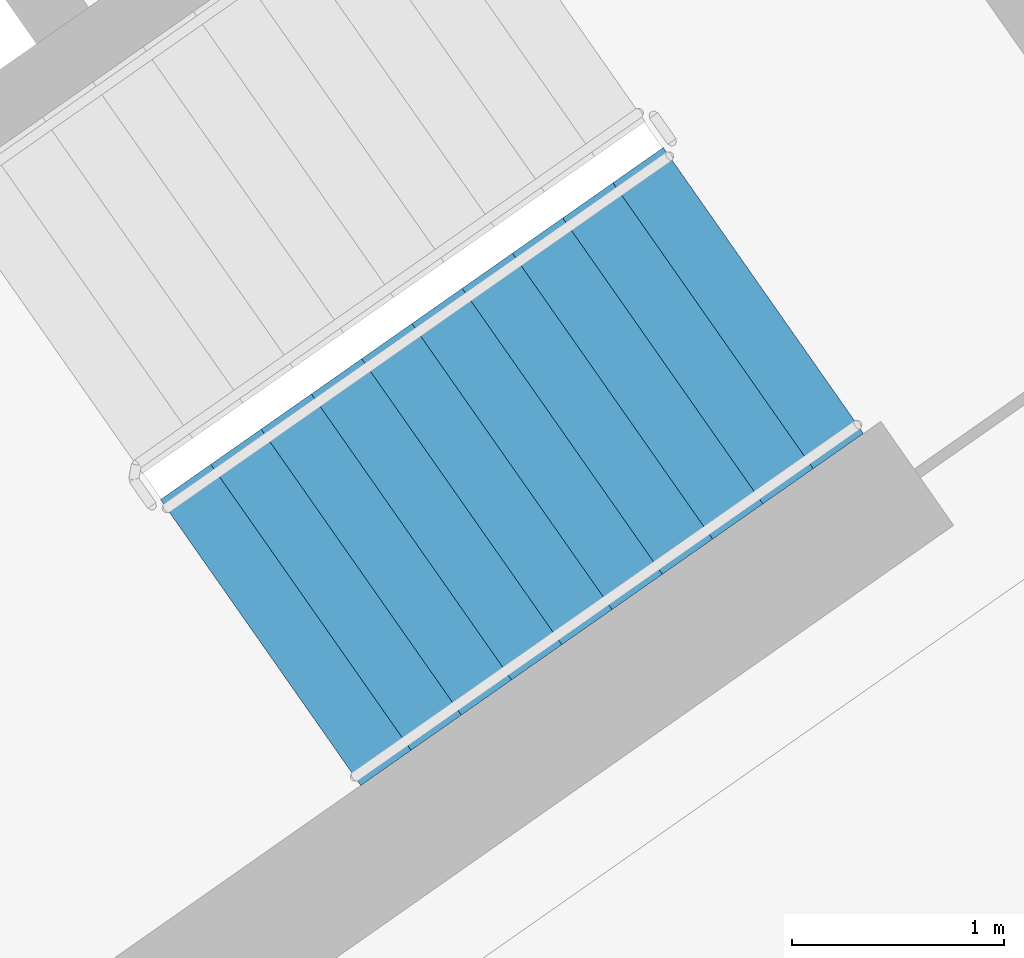
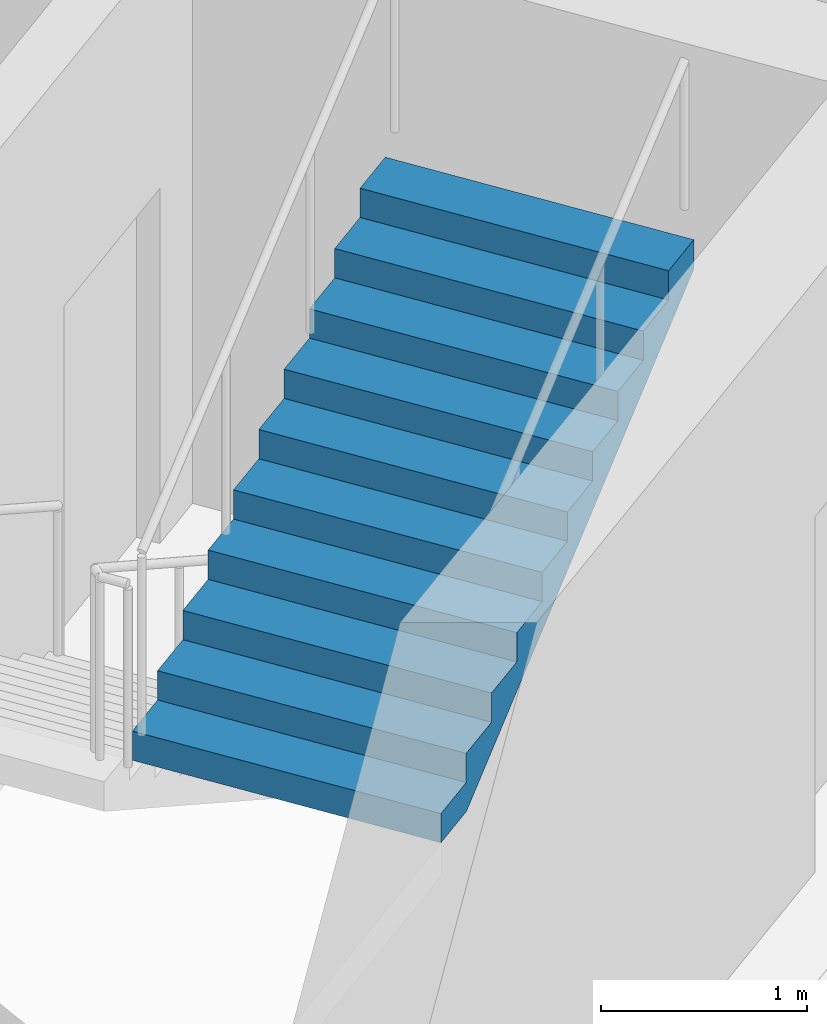
# One storey, part 14 of 28: 1 stair flight, 1 element without a shape of its own.
"""IFC4 building model written with IfcOpenShell, lengths in metres."""

from ifc_helpers import new_model, si_unit, direction, frame, origin, place, context, subcontext, project, spatial, faceted_brep, material, type_object, element, aggregate, save


model = new_model("IFC4")

# Units and contexts
model_context = context("Model", 3, precision=1e-05, world=origin(), true_north=direction((0.0, 1.0)))
body_context = subcontext(model_context, "Body", "Model", "MODEL_VIEW")
ifc_project = project(units=[si_unit("LENGTHUNIT", "METRE"), si_unit("AREAUNIT", "SQUARE_METRE"), si_unit("VOLUMEUNIT", "CUBIC_METRE"), si_unit("PLANEANGLEUNIT", "RADIAN"), si_unit("MASSUNIT", "GRAM", prefix="KILO")], contexts=[model_context])

# Site, building, storey
site_placement = place(None, origin())
site = spatial("IfcSite", under=ifc_project, at=site_placement, CompositionType="ELEMENT")
building_placement = place(site_placement, origin())
building = spatial("IfcBuilding", under=site, at=building_placement, Name="Qamariyya Broadcast Tower", CompositionType="ELEMENT")
storey_placement = place(building_placement, frame((0.0, 0.0, 234.10009765625)))
storey = spatial("IfcBuildingStorey", under=building, at=storey_placement, Name="L56", CompositionType="ELEMENT", Elevation=234.10009765625)

# Stair, stair flight
ifc_material = material(Name="Concrete C50/60", Category="concrete")
stair_type = type_object("IfcStairType", Name="Exit stair 22 risers of 173 mm", PredefinedType="HALF_TURN_STAIR", material=ifc_material)
stair_placement = place(storey_placement, origin())
stair = element("IfcStair", 1, at=stair_placement, inside=storey, type_object=stair_type, Name="L56 Stair E1", PredefinedType="HALF_TURN_STAIR")
stair_flight_type = type_object("IfcStairFlightType", Name="Exit stair flight 11 risers of 173 mm", PredefinedType="STRAIGHT", material=ifc_material)
stair_flight_placement = place(storey_placement, frame((44.693359375, -58.64599609375, 1.89990234375), z_axis=(0.0, 0.0, 1.0), x_axis=(0.819152044289, 0.573576436351, 0.0)))
stair_flight = element("IfcStairFlight", 2, at=stair_flight_placement, type_object=stair_flight_type, Name="ST-E1 flight 2", NumberOfRisers=11, NumberOfTreads=10, PredefinedType="STRAIGHT", RiserHeight=0.172727273, TreadLength=0.29, context=body_context, shape_type="Brep", body=[
    faceted_brep([(0.0, 0.824951171875, 0.0), (0.0, 0.824951171875, 0.172607421875), (0.2900390625, 0.824951171875, 0.172607421875), (0.2900390625, 0.824951171875, 0.345458984375), (0.580078125, 0.824951171875, 0.345458984375), (0.580078125, 0.824951171875, 0.51806640625), (0.8701171875, 0.824951171875, 0.51806640625), (0.8701171875, 0.824951171875, 0.69091796875), (1.159912109375, 0.824951171875, 0.69091796875), (1.159912109375, 0.824951171875, 0.863525390625), (1.449951171875, 0.824951171875, 0.863525390625), (1.449951171875, 0.824951171875, 1.036376953125), (1.739990234375, 0.824951171875, 1.036376953125), (1.739990234375, 0.824951171875, 1.208984375), (2.030029296875, 0.824951171875, 1.208984375), (2.030029296875, 0.824951171875, 1.3818359375), (2.320068359375, 0.824951171875, 1.3818359375), (2.320068359375, 0.824951171875, 1.554443359375), (2.610107421875, 0.824951171875, 1.554443359375), (2.610107421875, 0.824951171875, 1.727294921875), (2.89990234375, 0.824951171875, 1.727294921875), (2.89990234375, 0.824951171875, 1.552734375), (0.29296875, 0.824951171875, 0.0), (0.29296875, -0.824951171875, 0.0), (2.89990234375, -0.824951171875, 1.552734375), (2.89990234375, -0.824951171875, 1.727294921875), (2.610107421875, -0.824951171875, 1.727294921875), (2.610107421875, -0.824951171875, 1.554443359375), (2.320068359375, -0.824951171875, 1.554443359375), (2.320068359375, -0.824951171875, 1.3818359375), (2.030029296875, -0.824951171875, 1.3818359375), (2.030029296875, -0.824951171875, 1.208984375), (1.739990234375, -0.824951171875, 1.208984375), (1.739990234375, -0.824951171875, 1.036376953125), (1.449951171875, -0.824951171875, 1.036376953125), (1.449951171875, -0.824951171875, 0.863525390625), (1.159912109375, -0.824951171875, 0.863525390625), (1.159912109375, -0.824951171875, 0.69091796875), (0.8701171875, -0.824951171875, 0.69091796875), (0.8701171875, -0.824951171875, 0.51806640625), (0.580078125, -0.824951171875, 0.51806640625), (0.580078125, -0.824951171875, 0.345458984375), (0.2900390625, -0.824951171875, 0.345458984375), (0.2900390625, -0.824951171875, 0.172607421875), (0.0, -0.824951171875, 0.172607421875), (0.0, -0.824951171875, 0.0), (0.0, 0.10009765625, 0.0), (0.0, 0.086669921875, 0.0), (0.0, 0.0732421875, 0.0), (0.0, 0.06005859375, 0.0), (0.0, 0.046630859375, 0.0), (0.0, 0.033447265625, 0.0), (0.0, 0.02001953125, 0.0), (0.0, 0.006591796875, 0.0), (0.0, -0.006591796875, 0.0), (0.0, -0.02001953125, 0.0), (0.0, -0.033447265625, 0.0), (0.0, -0.046630859375, 0.0), (0.0, -0.06005859375, 0.0), (0.0, -0.0732421875, 0.0), (0.0, -0.086669921875, 0.0), (0.0, -0.10009765625, 0.0), (0.0, -0.10009765625, 0.172607421875), (0.0, -0.086669921875, 0.172607421875), (0.0, -0.0732421875, 0.172607421875), (0.0, -0.06005859375, 0.172607421875), (0.0, -0.046630859375, 0.172607421875), (0.0, -0.033447265625, 0.172607421875), (0.0, -0.02001953125, 0.172607421875), (0.0, -0.006591796875, 0.172607421875), (0.0, 0.006591796875, 0.172607421875), (0.0, 0.02001953125, 0.172607421875), (0.0, 0.033447265625, 0.172607421875), (0.0, 0.046630859375, 0.172607421875), (0.0, 0.06005859375, 0.172607421875), (0.0, 0.0732421875, 0.172607421875), (0.0, 0.086669921875, 0.172607421875), (0.0, 0.10009765625, 0.172607421875), (0.2900390625, -0.10009765625, 0.172607421875), (0.2900390625, -0.086669921875, 0.172607421875), (0.2900390625, -0.0732421875, 0.172607421875), (0.2900390625, -0.06005859375, 0.172607421875), (0.2900390625, -0.046630859375, 0.172607421875), (0.2900390625, -0.033447265625, 0.172607421875), (0.2900390625, -0.02001953125, 0.172607421875), (0.2900390625, -0.006591796875, 0.172607421875), (0.2900390625, 0.006591796875, 0.172607421875), (0.2900390625, 0.02001953125, 0.172607421875), (0.2900390625, 0.033447265625, 0.172607421875), (0.2900390625, 0.046630859375, 0.172607421875), (0.2900390625, 0.06005859375, 0.172607421875), (0.2900390625, 0.0732421875, 0.172607421875), (0.2900390625, 0.086669921875, 0.172607421875), (0.2900390625, 0.10009765625, 0.172607421875), (0.2900390625, -0.10009765625, 0.345458984375), (0.2900390625, -0.086669921875, 0.345458984375), (0.2900390625, -0.0732421875, 0.345458984375), (0.2900390625, -0.06005859375, 0.345458984375), (0.2900390625, -0.046630859375, 0.345458984375), (0.2900390625, -0.033447265625, 0.345458984375), (0.2900390625, -0.02001953125, 0.345458984375), (0.2900390625, -0.006591796875, 0.345458984375), (0.2900390625, 0.006591796875, 0.345458984375), (0.2900390625, 0.02001953125, 0.345458984375), (0.2900390625, 0.033447265625, 0.345458984375), (0.2900390625, 0.046630859375, 0.345458984375), (0.2900390625, 0.06005859375, 0.345458984375), (0.2900390625, 0.0732421875, 0.345458984375), (0.2900390625, 0.086669921875, 0.345458984375), (0.2900390625, 0.10009765625, 0.345458984375), (0.580078125, -0.10009765625, 0.345458984375), (0.580078125, -0.086669921875, 0.345458984375), (0.580078125, -0.0732421875, 0.345458984375), (0.580078125, -0.06005859375, 0.345458984375), (0.580078125, -0.046630859375, 0.345458984375), (0.580078125, -0.033447265625, 0.345458984375), (0.580078125, -0.02001953125, 0.345458984375), (0.580078125, -0.006591796875, 0.345458984375), (0.580078125, 0.006591796875, 0.345458984375), (0.580078125, 0.02001953125, 0.345458984375), (0.580078125, 0.033447265625, 0.345458984375), (0.580078125, 0.046630859375, 0.345458984375), (0.580078125, 0.06005859375, 0.345458984375), (0.580078125, 0.0732421875, 0.345458984375), (0.580078125, 0.086669921875, 0.345458984375), (0.580078125, 0.10009765625, 0.345458984375), (0.580078125, -0.10009765625, 0.51806640625), (0.580078125, -0.086669921875, 0.51806640625), (0.580078125, -0.0732421875, 0.51806640625), (0.580078125, -0.06005859375, 0.51806640625), (0.580078125, -0.046630859375, 0.51806640625), (0.580078125, -0.033447265625, 0.51806640625), (0.580078125, -0.02001953125, 0.51806640625), (0.580078125, -0.006591796875, 0.51806640625), (0.580078125, 0.006591796875, 0.51806640625), (0.580078125, 0.02001953125, 0.51806640625), (0.580078125, 0.033447265625, 0.51806640625), (0.580078125, 0.046630859375, 0.51806640625), (0.580078125, 0.06005859375, 0.51806640625), (0.580078125, 0.0732421875, 0.51806640625), (0.580078125, 0.086669921875, 0.51806640625), (0.580078125, 0.10009765625, 0.51806640625), (0.8701171875, -0.10009765625, 0.51806640625), (0.8701171875, -0.086669921875, 0.51806640625), (0.8701171875, -0.0732421875, 0.51806640625), (0.8701171875, -0.06005859375, 0.51806640625), (0.8701171875, -0.046630859375, 0.51806640625), (0.8701171875, -0.033447265625, 0.51806640625), (0.8701171875, -0.02001953125, 0.51806640625), (0.8701171875, -0.006591796875, 0.51806640625), (0.8701171875, 0.006591796875, 0.51806640625), (0.8701171875, 0.02001953125, 0.51806640625), (0.8701171875, 0.033447265625, 0.51806640625), (0.8701171875, 0.046630859375, 0.51806640625), (0.8701171875, 0.06005859375, 0.51806640625), (0.8701171875, 0.0732421875, 0.51806640625), (0.8701171875, 0.086669921875, 0.51806640625), (0.8701171875, 0.10009765625, 0.51806640625), (0.8701171875, -0.10009765625, 0.69091796875), (0.8701171875, -0.086669921875, 0.69091796875), (0.8701171875, -0.0732421875, 0.69091796875), (0.8701171875, -0.06005859375, 0.69091796875), (0.8701171875, -0.046630859375, 0.69091796875), (0.8701171875, -0.033447265625, 0.69091796875), (0.8701171875, -0.02001953125, 0.69091796875), (0.8701171875, -0.006591796875, 0.69091796875), (0.8701171875, 0.006591796875, 0.69091796875), (0.8701171875, 0.02001953125, 0.69091796875), (0.8701171875, 0.033447265625, 0.69091796875), (0.8701171875, 0.046630859375, 0.69091796875), (0.8701171875, 0.06005859375, 0.69091796875), (0.8701171875, 0.0732421875, 0.69091796875), (0.8701171875, 0.086669921875, 0.69091796875), (0.8701171875, 0.10009765625, 0.69091796875), (1.159912109375, -0.10009765625, 0.69091796875), (1.159912109375, -0.086669921875, 0.69091796875), (1.159912109375, -0.0732421875, 0.69091796875), (1.159912109375, -0.06005859375, 0.69091796875), (1.159912109375, -0.046630859375, 0.69091796875), (1.159912109375, -0.033447265625, 0.69091796875), (1.159912109375, -0.02001953125, 0.69091796875), (1.159912109375, -0.006591796875, 0.69091796875), (1.159912109375, 0.006591796875, 0.69091796875), (1.159912109375, 0.02001953125, 0.69091796875), (1.159912109375, 0.033447265625, 0.69091796875), (1.159912109375, 0.046630859375, 0.69091796875), (1.159912109375, 0.06005859375, 0.69091796875), (1.159912109375, 0.0732421875, 0.69091796875), (1.159912109375, 0.086669921875, 0.69091796875), (1.159912109375, 0.10009765625, 0.69091796875), (1.159912109375, -0.10009765625, 0.863525390625), (1.159912109375, -0.086669921875, 0.863525390625), (1.159912109375, -0.0732421875, 0.863525390625), (1.159912109375, -0.06005859375, 0.863525390625), (1.159912109375, -0.046630859375, 0.863525390625), (1.159912109375, -0.033447265625, 0.863525390625), (1.159912109375, -0.02001953125, 0.863525390625), (1.159912109375, -0.006591796875, 0.863525390625), (1.159912109375, 0.006591796875, 0.863525390625), (1.159912109375, 0.02001953125, 0.863525390625), (1.159912109375, 0.033447265625, 0.863525390625), (1.159912109375, 0.046630859375, 0.863525390625), (1.159912109375, 0.06005859375, 0.863525390625), (1.159912109375, 0.0732421875, 0.863525390625), (1.159912109375, 0.086669921875, 0.863525390625), (1.159912109375, 0.10009765625, 0.863525390625), (1.449951171875, -0.10009765625, 0.863525390625), (1.449951171875, -0.086669921875, 0.863525390625), (1.449951171875, -0.0732421875, 0.863525390625), (1.449951171875, -0.06005859375, 0.863525390625), (1.449951171875, -0.046630859375, 0.863525390625), (1.449951171875, -0.033447265625, 0.863525390625), (1.449951171875, -0.02001953125, 0.863525390625), (1.449951171875, -0.006591796875, 0.863525390625), (1.449951171875, 0.006591796875, 0.863525390625), (1.449951171875, 0.02001953125, 0.863525390625), (1.449951171875, 0.033447265625, 0.863525390625), (1.449951171875, 0.046630859375, 0.863525390625), (1.449951171875, 0.06005859375, 0.863525390625), (1.449951171875, 0.0732421875, 0.863525390625), (1.449951171875, 0.086669921875, 0.863525390625), (1.449951171875, 0.10009765625, 0.863525390625), (1.449951171875, -0.10009765625, 1.036376953125), (1.449951171875, -0.086669921875, 1.036376953125), (1.449951171875, -0.0732421875, 1.036376953125), (1.449951171875, -0.06005859375, 1.036376953125), (1.449951171875, -0.046630859375, 1.036376953125), (1.449951171875, -0.033447265625, 1.036376953125), (1.449951171875, -0.02001953125, 1.036376953125), (1.449951171875, -0.006591796875, 1.036376953125), (1.449951171875, 0.006591796875, 1.036376953125), (1.449951171875, 0.02001953125, 1.036376953125), (1.449951171875, 0.033447265625, 1.036376953125), (1.449951171875, 0.046630859375, 1.036376953125), (1.449951171875, 0.06005859375, 1.036376953125), (1.449951171875, 0.0732421875, 1.036376953125), (1.449951171875, 0.086669921875, 1.036376953125), (1.449951171875, 0.10009765625, 1.036376953125), (1.739990234375, -0.10009765625, 1.036376953125), (1.739990234375, -0.086669921875, 1.036376953125), (1.739990234375, -0.0732421875, 1.036376953125), (1.739990234375, -0.06005859375, 1.036376953125), (1.739990234375, -0.046630859375, 1.036376953125), (1.739990234375, -0.033447265625, 1.036376953125), (1.739990234375, -0.02001953125, 1.036376953125), (1.739990234375, -0.006591796875, 1.036376953125), (1.739990234375, 0.006591796875, 1.036376953125), (1.739990234375, 0.02001953125, 1.036376953125), (1.739990234375, 0.033447265625, 1.036376953125), (1.739990234375, 0.046630859375, 1.036376953125), (1.739990234375, 0.06005859375, 1.036376953125), (1.739990234375, 0.0732421875, 1.036376953125), (1.739990234375, 0.086669921875, 1.036376953125), (1.739990234375, 0.10009765625, 1.036376953125), (1.739990234375, -0.10009765625, 1.208984375), (1.739990234375, -0.086669921875, 1.208984375), (1.739990234375, -0.0732421875, 1.208984375), (1.739990234375, -0.06005859375, 1.208984375), (1.739990234375, -0.046630859375, 1.208984375), (1.739990234375, -0.033447265625, 1.208984375), (1.739990234375, -0.02001953125, 1.208984375), (1.739990234375, -0.006591796875, 1.208984375), (1.739990234375, 0.006591796875, 1.208984375), (1.739990234375, 0.02001953125, 1.208984375), (1.739990234375, 0.033447265625, 1.208984375), (1.739990234375, 0.046630859375, 1.208984375), (1.739990234375, 0.06005859375, 1.208984375), (1.739990234375, 0.0732421875, 1.208984375), (1.739990234375, 0.086669921875, 1.208984375), (1.739990234375, 0.10009765625, 1.208984375), (2.030029296875, -0.10009765625, 1.208984375), (2.030029296875, -0.086669921875, 1.208984375), (2.030029296875, -0.0732421875, 1.208984375), (2.030029296875, -0.06005859375, 1.208984375), (2.030029296875, -0.046630859375, 1.208984375), (2.030029296875, -0.033447265625, 1.208984375), (2.030029296875, -0.02001953125, 1.208984375), (2.030029296875, -0.006591796875, 1.208984375), (2.030029296875, 0.006591796875, 1.208984375), (2.030029296875, 0.02001953125, 1.208984375), (2.030029296875, 0.033447265625, 1.208984375), (2.030029296875, 0.046630859375, 1.208984375), (2.030029296875, 0.06005859375, 1.208984375), (2.030029296875, 0.0732421875, 1.208984375), (2.030029296875, 0.086669921875, 1.208984375), (2.030029296875, 0.10009765625, 1.208984375), (2.030029296875, -0.10009765625, 1.3818359375), (2.030029296875, -0.086669921875, 1.3818359375), (2.030029296875, -0.0732421875, 1.3818359375), (2.030029296875, -0.06005859375, 1.3818359375), (2.030029296875, -0.046630859375, 1.3818359375), (2.030029296875, -0.033447265625, 1.3818359375), (2.030029296875, -0.02001953125, 1.3818359375), (2.030029296875, -0.006591796875, 1.3818359375), (2.030029296875, 0.006591796875, 1.3818359375), (2.030029296875, 0.02001953125, 1.3818359375), (2.030029296875, 0.033447265625, 1.3818359375), (2.030029296875, 0.046630859375, 1.3818359375), (2.030029296875, 0.06005859375, 1.3818359375), (2.030029296875, 0.0732421875, 1.3818359375), (2.030029296875, 0.086669921875, 1.3818359375), (2.030029296875, 0.10009765625, 1.3818359375), (2.320068359375, -0.10009765625, 1.3818359375), (2.320068359375, -0.086669921875, 1.3818359375), (2.320068359375, -0.0732421875, 1.3818359375), (2.320068359375, -0.06005859375, 1.3818359375), (2.320068359375, -0.046630859375, 1.3818359375), (2.320068359375, -0.033447265625, 1.3818359375), (2.320068359375, -0.02001953125, 1.3818359375), (2.320068359375, -0.006591796875, 1.3818359375), (2.320068359375, 0.006591796875, 1.3818359375), (2.320068359375, 0.02001953125, 1.3818359375), (2.320068359375, 0.033447265625, 1.3818359375), (2.320068359375, 0.046630859375, 1.3818359375), (2.320068359375, 0.06005859375, 1.3818359375), (2.320068359375, 0.0732421875, 1.3818359375), (2.320068359375, 0.086669921875, 1.3818359375), (2.320068359375, 0.10009765625, 1.3818359375), (2.320068359375, -0.10009765625, 1.554443359375), (2.320068359375, -0.086669921875, 1.554443359375), (2.320068359375, -0.0732421875, 1.554443359375), (2.320068359375, -0.06005859375, 1.554443359375), (2.320068359375, -0.046630859375, 1.554443359375), (2.320068359375, -0.033447265625, 1.554443359375), (2.320068359375, -0.02001953125, 1.554443359375), (2.320068359375, -0.006591796875, 1.554443359375), (2.320068359375, 0.006591796875, 1.554443359375), (2.320068359375, 0.02001953125, 1.554443359375), (2.320068359375, 0.033447265625, 1.554443359375), (2.320068359375, 0.046630859375, 1.554443359375), (2.320068359375, 0.06005859375, 1.554443359375), (2.320068359375, 0.0732421875, 1.554443359375), (2.320068359375, 0.086669921875, 1.554443359375), (2.320068359375, 0.10009765625, 1.554443359375), (2.610107421875, -0.10009765625, 1.554443359375), (2.610107421875, -0.086669921875, 1.554443359375), (2.610107421875, -0.0732421875, 1.554443359375), (2.610107421875, -0.06005859375, 1.554443359375), (2.610107421875, -0.046630859375, 1.554443359375), (2.610107421875, -0.033447265625, 1.554443359375), (2.610107421875, -0.02001953125, 1.554443359375), (2.610107421875, -0.006591796875, 1.554443359375), (2.610107421875, 0.006591796875, 1.554443359375), (2.610107421875, 0.02001953125, 1.554443359375), (2.610107421875, 0.033447265625, 1.554443359375), (2.610107421875, 0.046630859375, 1.554443359375), (2.610107421875, 0.06005859375, 1.554443359375), (2.610107421875, 0.0732421875, 1.554443359375), (2.610107421875, 0.086669921875, 1.554443359375), (2.610107421875, 0.10009765625, 1.554443359375), (2.610107421875, -0.10009765625, 1.727294921875), (2.610107421875, -0.086669921875, 1.727294921875), (2.610107421875, -0.0732421875, 1.727294921875), (2.610107421875, -0.06005859375, 1.727294921875), (2.610107421875, -0.046630859375, 1.727294921875), (2.610107421875, -0.033447265625, 1.727294921875), (2.610107421875, -0.02001953125, 1.727294921875), (2.610107421875, -0.006591796875, 1.727294921875), (2.610107421875, 0.006591796875, 1.727294921875), (2.610107421875, 0.02001953125, 1.727294921875), (2.610107421875, 0.033447265625, 1.727294921875), (2.610107421875, 0.046630859375, 1.727294921875), (2.610107421875, 0.06005859375, 1.727294921875), (2.610107421875, 0.0732421875, 1.727294921875), (2.610107421875, 0.086669921875, 1.727294921875), (2.610107421875, 0.10009765625, 1.727294921875), (2.89990234375, -0.10009765625, 1.727294921875), (2.89990234375, -0.086669921875, 1.727294921875), (2.89990234375, -0.0732421875, 1.727294921875), (2.89990234375, -0.06005859375, 1.727294921875), (2.89990234375, -0.046630859375, 1.727294921875), (2.89990234375, -0.033447265625, 1.727294921875), (2.89990234375, -0.02001953125, 1.727294921875), (2.89990234375, -0.006591796875, 1.727294921875), (2.89990234375, 0.006591796875, 1.727294921875), (2.89990234375, 0.02001953125, 1.727294921875), (2.89990234375, 0.033447265625, 1.727294921875), (2.89990234375, 0.046630859375, 1.727294921875), (2.89990234375, 0.06005859375, 1.727294921875), (2.89990234375, 0.0732421875, 1.727294921875), (2.89990234375, 0.086669921875, 1.727294921875), (2.89990234375, 0.10009765625, 1.727294921875), (2.89990234375, -0.10009765625, 1.552734375), (2.89990234375, -0.086669921875, 1.552734375), (2.89990234375, -0.0732421875, 1.552734375), (2.89990234375, -0.06005859375, 1.552734375), (2.89990234375, -0.046630859375, 1.552734375), (2.89990234375, -0.033447265625, 1.552734375), (2.89990234375, -0.02001953125, 1.552734375), (2.89990234375, -0.006591796875, 1.552734375), (2.89990234375, 0.006591796875, 1.552734375), (2.89990234375, 0.02001953125, 1.552734375), (2.89990234375, 0.033447265625, 1.552734375), (2.89990234375, 0.046630859375, 1.552734375), (2.89990234375, 0.06005859375, 1.552734375), (2.89990234375, 0.0732421875, 1.552734375), (2.89990234375, 0.086669921875, 1.552734375), (2.89990234375, 0.10009765625, 1.552734375), (0.29296875, -0.10009765625, 0.0), (0.29296875, -0.086669921875, 0.0), (0.29296875, -0.0732421875, 0.0), (0.29296875, -0.06005859375, 0.0), (0.29296875, -0.046630859375, 0.0), (0.29296875, -0.033447265625, 0.0), (0.29296875, -0.02001953125, 0.0), (0.29296875, -0.006591796875, 0.0), (0.29296875, 0.006591796875, 0.0), (0.29296875, 0.02001953125, 0.0), (0.29296875, 0.033447265625, 0.0), (0.29296875, 0.046630859375, 0.0), (0.29296875, 0.06005859375, 0.0), (0.29296875, 0.0732421875, 0.0), (0.29296875, 0.086669921875, 0.0), (0.29296875, 0.10009765625, 0.0)], [[[0, 1, 2, 3, 4, 5, 6, 7, 8, 9, 10, 11, 12, 13, 14, 15, 16, 17, 18, 19, 20, 21, 22]], [[23, 24, 25, 26, 27, 28, 29, 30, 31, 32, 33, 34, 35, 36, 37, 38, 39, 40, 41, 42, 43, 44, 45]], [[0, 46, 47, 48, 49, 50, 51, 52, 53, 54, 55, 56, 57, 58, 59, 60, 61, 45, 44, 62, 63, 64, 65, 66, 67, 68, 69, 70, 71, 72, 73, 74, 75, 76, 77, 1]], [[1, 77, 76, 75, 74, 73, 72, 71, 70, 69, 68, 67, 66, 65, 64, 63, 62, 44, 43, 78, 79, 80, 81, 82, 83, 84, 85, 86, 87, 88, 89, 90, 91, 92, 93, 2]], [[2, 93, 92, 91, 90, 89, 88, 87, 86, 85, 84, 83, 82, 81, 80, 79, 78, 43, 42, 94, 95, 96, 97, 98, 99, 100, 101, 102, 103, 104, 105, 106, 107, 108, 109, 3]], [[3, 109, 108, 107, 106, 105, 104, 103, 102, 101, 100, 99, 98, 97, 96, 95, 94, 42, 41, 110, 111, 112, 113, 114, 115, 116, 117, 118, 119, 120, 121, 122, 123, 124, 125, 4]], [[4, 125, 124, 123, 122, 121, 120, 119, 118, 117, 116, 115, 114, 113, 112, 111, 110, 41, 40, 126, 127, 128, 129, 130, 131, 132, 133, 134, 135, 136, 137, 138, 139, 140, 141, 5]], [[5, 141, 140, 139, 138, 137, 136, 135, 134, 133, 132, 131, 130, 129, 128, 127, 126, 40, 39, 142, 143, 144, 145, 146, 147, 148, 149, 150, 151, 152, 153, 154, 155, 156, 157, 6]], [[6, 157, 156, 155, 154, 153, 152, 151, 150, 149, 148, 147, 146, 145, 144, 143, 142, 39, 38, 158, 159, 160, 161, 162, 163, 164, 165, 166, 167, 168, 169, 170, 171, 172, 173, 7]], [[7, 173, 172, 171, 170, 169, 168, 167, 166, 165, 164, 163, 162, 161, 160, 159, 158, 38, 37, 174, 175, 176, 177, 178, 179, 180, 181, 182, 183, 184, 185, 186, 187, 188, 189, 8]], [[8, 189, 188, 187, 186, 185, 184, 183, 182, 181, 180, 179, 178, 177, 176, 175, 174, 37, 36, 190, 191, 192, 193, 194, 195, 196, 197, 198, 199, 200, 201, 202, 203, 204, 205, 9]], [[9, 205, 204, 203, 202, 201, 200, 199, 198, 197, 196, 195, 194, 193, 192, 191, 190, 36, 35, 206, 207, 208, 209, 210, 211, 212, 213, 214, 215, 216, 217, 218, 219, 220, 221, 10]], [[10, 221, 220, 219, 218, 217, 216, 215, 214, 213, 212, 211, 210, 209, 208, 207, 206, 35, 34, 222, 223, 224, 225, 226, 227, 228, 229, 230, 231, 232, 233, 234, 235, 236, 237, 11]], [[11, 237, 236, 235, 234, 233, 232, 231, 230, 229, 228, 227, 226, 225, 224, 223, 222, 34, 33, 238, 239, 240, 241, 242, 243, 244, 245, 246, 247, 248, 249, 250, 251, 252, 253, 12]], [[12, 253, 252, 251, 250, 249, 248, 247, 246, 245, 244, 243, 242, 241, 240, 239, 238, 33, 32, 254, 255, 256, 257, 258, 259, 260, 261, 262, 263, 264, 265, 266, 267, 268, 269, 13]], [[13, 269, 268, 267, 266, 265, 264, 263, 262, 261, 260, 259, 258, 257, 256, 255, 254, 32, 31, 270, 271, 272, 273, 274, 275, 276, 277, 278, 279, 280, 281, 282, 283, 284, 285, 14]], [[14, 285, 284, 283, 282, 281, 280, 279, 278, 277, 276, 275, 274, 273, 272, 271, 270, 31, 30, 286, 287, 288, 289, 290, 291, 292, 293, 294, 295, 296, 297, 298, 299, 300, 301, 15]], [[15, 301, 300, 299, 298, 297, 296, 295, 294, 293, 292, 291, 290, 289, 288, 287, 286, 30, 29, 302, 303, 304, 305, 306, 307, 308, 309, 310, 311, 312, 313, 314, 315, 316, 317, 16]], [[16, 317, 316, 315, 314, 313, 312, 311, 310, 309, 308, 307, 306, 305, 304, 303, 302, 29, 28, 318, 319, 320, 321, 322, 323, 324, 325, 326, 327, 328, 329, 330, 331, 332, 333, 17]], [[17, 333, 332, 331, 330, 329, 328, 327, 326, 325, 324, 323, 322, 321, 320, 319, 318, 28, 27, 334, 335, 336, 337, 338, 339, 340, 341, 342, 343, 344, 345, 346, 347, 348, 349, 18]], [[18, 349, 348, 347, 346, 345, 344, 343, 342, 341, 340, 339, 338, 337, 336, 335, 334, 27, 26, 350, 351, 352, 353, 354, 355, 356, 357, 358, 359, 360, 361, 362, 363, 364, 365, 19]], [[19, 365, 364, 363, 362, 361, 360, 359, 358, 357, 356, 355, 354, 353, 352, 351, 350, 26, 25, 366, 367, 368, 369, 370, 371, 372, 373, 374, 375, 376, 377, 378, 379, 380, 381, 20]], [[20, 381, 380, 379, 378, 377, 376, 375, 374, 373, 372, 371, 370, 369, 368, 367, 366, 25, 24, 382, 383, 384, 385, 386, 387, 388, 389, 390, 391, 392, 393, 394, 395, 396, 397, 21]], [[21, 397, 396, 395, 394, 393, 392, 391, 390, 389, 388, 387, 386, 385, 384, 383, 382, 24, 23, 398, 399, 400, 401, 402, 403, 404, 405, 406, 407, 408, 409, 410, 411, 412, 413, 22]], [[22, 413, 412, 411, 410, 409, 408, 407, 406, 405, 404, 403, 402, 401, 400, 399, 398, 23, 45, 61, 60, 59, 58, 57, 56, 55, 54, 53, 52, 51, 50, 49, 48, 47, 46, 0]]]),
])
aggregate(stair, [stair_flight])

save(model, "model.ifc")
